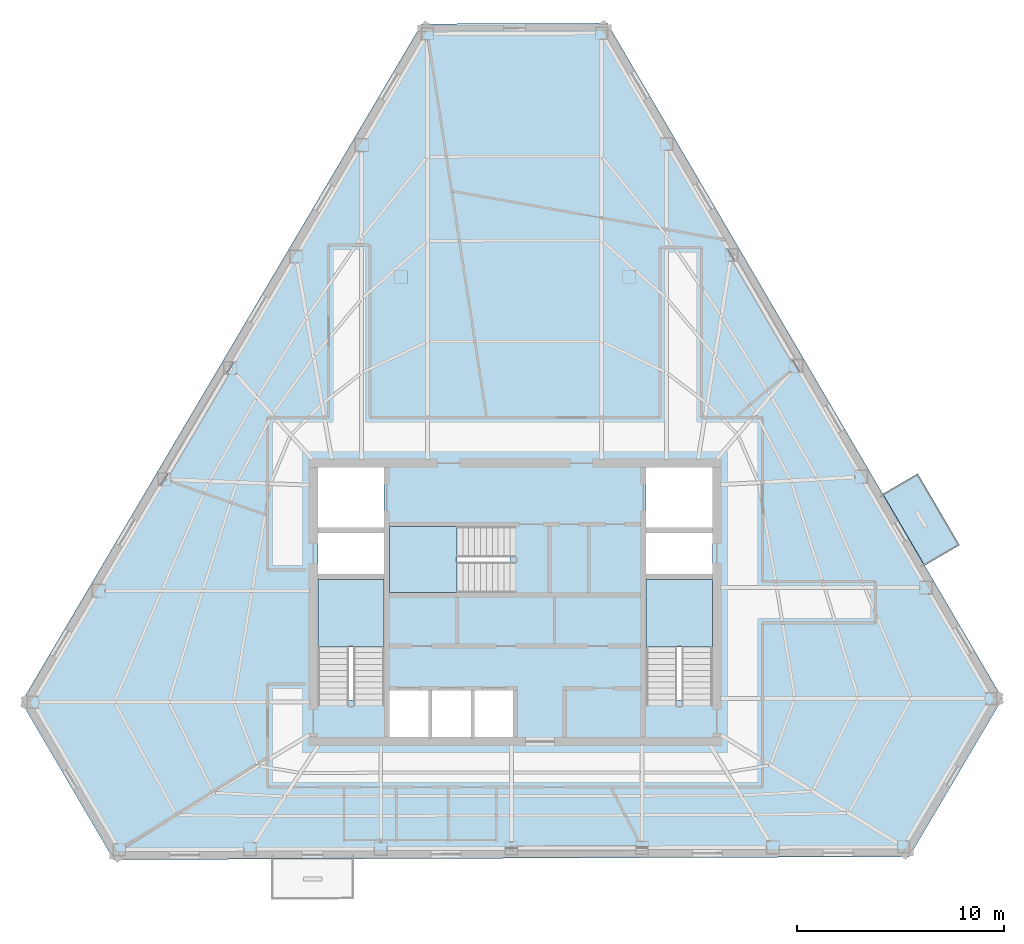
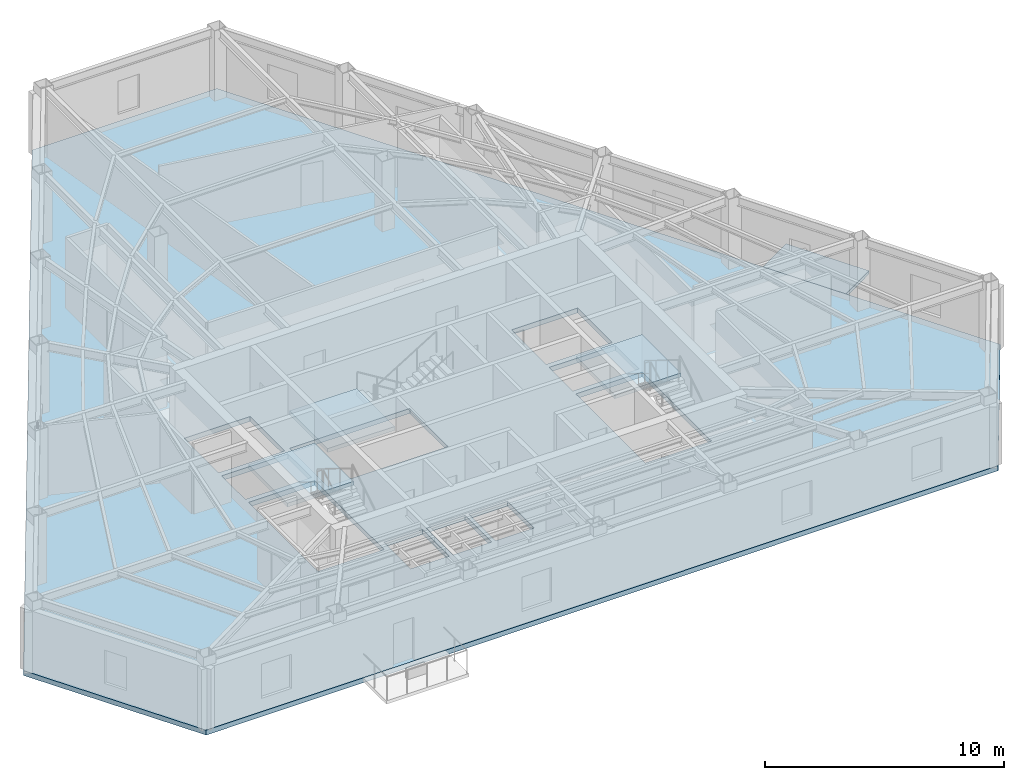
# One storey, part 3 of 9: 5 slabs, 3 elements without a shape of their own.
"""IFC4 building model written with IfcOpenShell, lengths in metres."""

from ifc_helpers import new_model, si_unit, direction, frame, origin, place, context, subcontext, project, spatial, polyline, outline, extrude, material, layer, layer_set, type_object, element, aggregate, save


model = new_model("IFC4")

# Units and contexts
model_context = context("Model", 3, precision=1e-05, world=origin(), true_north=direction((0.0, 1.0)))
body_context = subcontext(model_context, "Body", "Model", "MODEL_VIEW")
ifc_project = project(units=[si_unit("LENGTHUNIT", "METRE"), si_unit("AREAUNIT", "SQUARE_METRE"), si_unit("VOLUMEUNIT", "CUBIC_METRE"), si_unit("PLANEANGLEUNIT", "RADIAN"), si_unit("MASSUNIT", "GRAM", prefix="KILO")], contexts=[model_context])

# Site, building, storey
site_placement = place(None, origin())
site = spatial("IfcSite", under=ifc_project, at=site_placement, CompositionType="ELEMENT")
building_placement = place(site_placement, origin())
building = spatial("IfcBuilding", under=site, at=building_placement, Name="Kavelnor Concourse Tower", CompositionType="ELEMENT")
storey_placement = place(building_placement, frame((0.0, 0.0, 207.35009765625)))
storey = spatial("IfcBuildingStorey", under=building, at=storey_placement, Name="L52", CompositionType="ELEMENT", Elevation=207.35009765625)

# Slab
ifc_material = material(Name="Concrete C40/50", Category="concrete")
ifc_layer_1 = layer(ifc_material, 0.169921875, Name="Concrete C40/50")
ifc_layer_set_1 = layer_set([ifc_layer_1], Name="Concrete C40/50")
slab_type_1 = type_object("IfcSlabType", Name="SLB-BALCONY-170", PredefinedType="FLOOR", material=ifc_layer_set_1)
slab_1_placement = place(storey_placement, frame((0.0, 0.0, -0.170166015625)))
element("IfcSlab", 1, at=slab_1_placement, inside=storey, type_object=slab_type_1, Name="L52 Cantilevered Tree Balcony Slab 2", PredefinedType="FLOOR", context=body_context, shape_type="SweptSolid", body=[
    extrude(outline(polyline([(57.4287109375, 22.3115234375), (59.448974609375, 18.859130859375), (57.76611328125, 17.874267578125), (55.74560546875, 21.32666015625), (57.4287109375, 22.3115234375)])), origin(), (0.0, 0.0, 1.0), 0.170166015625),
])

# Stair, slab
stair_type = type_object("IfcStairType", Name="STR-CORE-1500", PredefinedType="HALF_TURN_STAIR", material=ifc_material)
stair_1_placement = place(storey_placement, origin())
stair_1 = element("IfcStair", 2, at=stair_1_placement, inside=storey, type_object=stair_type, Name="L52 ST1", PredefinedType="HALF_TURN_STAIR")
ifc_layer_2 = layer(ifc_material, 0.199951171875, Name="Concrete C40/50")
ifc_layer_set_2 = layer_set([ifc_layer_2], Name="Concrete C40/50")
slab_type_2 = type_object("IfcSlabType", Name="SLB-LANDING-200", PredefinedType="LANDING", material=ifc_layer_set_2)
slab_2_placement = place(storey_placement, frame((0.0, 0.0, 1.724853515625)))
slab_2 = element("IfcSlab", 3, at=slab_2_placement, type_object=slab_type_2, Name="ST1 landing 1", PredefinedType="LANDING", context=body_context, shape_type="SweptSolid", body=[
    extrude(outline(polyline([(31.679931640625, 13.949951171875), (31.679931640625, 17.199951171875), (28.47998046875, 17.199951171875), (28.47998046875, 13.949951171875), (31.679931640625, 13.949951171875)])), origin(), (0.0, 0.0, 1.0), 0.199951171875),
])
aggregate(stair_1, [slab_2])

stair_2_placement = place(storey_placement, origin())
stair_2 = element("IfcStair", 4, at=stair_2_placement, inside=storey, type_object=stair_type, Name="L52 ST2", PredefinedType="HALF_TURN_STAIR")
slab_3_placement = place(storey_placement, frame((0.0, 0.0, 1.724853515625)))
slab_3 = element("IfcSlab", 5, at=slab_3_placement, type_object=slab_type_2, Name="ST2 landing 1", PredefinedType="LANDING", context=body_context, shape_type="SweptSolid", body=[
    extrude(outline(polyline([(47.52001953125, 13.949951171875), (47.52001953125, 17.199951171875), (44.320068359375, 17.199951171875), (44.320068359375, 13.949951171875), (47.52001953125, 13.949951171875)])), origin(), (0.0, 0.0, 1.0), 0.199951171875),
])
aggregate(stair_2, [slab_3])

stair_3_placement = place(storey_placement, origin())
stair_3 = element("IfcStair", 6, at=stair_3_placement, inside=storey, type_object=stair_type, Name="L52 ST3", PredefinedType="HALF_TURN_STAIR")
slab_4_placement = place(storey_placement, frame((0.0, 0.0, 1.724853515625)))
slab_4 = element("IfcSlab", 7, at=slab_4_placement, type_object=slab_type_2, Name="ST3 landing 1", PredefinedType="LANDING", context=body_context, shape_type="SweptSolid", body=[
    extrude(outline(polyline([(35.18994140625, 19.760009765625), (31.93994140625, 19.760009765625), (31.93994140625, 16.56005859375), (35.18994140625, 16.56005859375), (35.18994140625, 19.760009765625)])), origin(), (0.0, 0.0, 1.0), 0.199951171875),
])
aggregate(stair_3, [slab_4])

# Slab
ifc_layer_3 = layer(ifc_material, 0.25, Name="Concrete C40/50")
ifc_layer_set_3 = layer_set([ifc_layer_3], Name="Concrete C40/50")
slab_type_3 = type_object("IfcSlabType", Name="SLB-OFFICE-250", PredefinedType="FLOOR", material=ifc_layer_set_3)
slab_5_placement = place(storey_placement, frame((0.0, 0.0, -0.25)))
element("IfcSlab", 8, at=slab_5_placement, inside=storey, type_object=slab_type_3, Name="L52 Composite Structural Floor Slab", PredefinedType="FLOOR", context=body_context, shape_type="SweptSolid", body=[
    extrude(outline(polyline([(42.44921875, 44.046875), (33.494384765625, 44.014404296875), (14.1767578125, 11.279296875), (18.625732421875, 3.677001953125), (57.019287109375, 3.816650390625), (61.524658203125, 11.45166015625), (42.44921875, 44.046875)]), holes=[polyline([(28.47998046875, 11.3798828125), (31.679931640625, 11.3798828125), (31.679931640625, 17.199951171875), (28.47998046875, 17.199951171875), (28.47998046875, 11.3798828125)]), polyline([(44.320068359375, 11.3798828125), (47.52001953125, 11.3798828125), (47.52001953125, 17.199951171875), (44.320068359375, 17.199951171875), (44.320068359375, 11.3798828125)]), polyline([(31.93994140625, 16.56005859375), (37.760009765625, 16.56005859375), (37.760009765625, 19.760009765625), (31.93994140625, 19.760009765625), (31.93994140625, 16.56005859375)]), polyline([(28.47998046875, 19.699951171875), (31.679931640625, 19.699951171875), (31.679931640625, 22.60009765625), (28.47998046875, 22.60009765625), (28.47998046875, 19.699951171875)]), polyline([(44.320068359375, 19.699951171875), (47.52001953125, 19.699951171875), (47.52001953125, 22.60009765625), (44.320068359375, 22.60009765625), (44.320068359375, 19.699951171875)]), polyline([(31.93994140625, 9.60009765625), (33.81005859375, 9.60009765625), (33.81005859375, 11.840087890625), (31.93994140625, 11.840087890625), (31.93994140625, 9.60009765625)]), polyline([(33.989990234375, 9.60009765625), (35.860107421875, 9.60009765625), (35.860107421875, 11.840087890625), (33.989990234375, 11.840087890625), (33.989990234375, 9.60009765625)]), polyline([(36.0400390625, 9.60009765625), (37.909912109375, 9.60009765625), (37.909912109375, 11.840087890625), (36.0400390625, 11.840087890625), (36.0400390625, 9.60009765625)]), polyline([(28.47998046875, 17.4599609375), (31.679931640625, 17.4599609375), (31.679931640625, 19.43994140625), (28.47998046875, 19.43994140625), (28.47998046875, 17.4599609375)]), polyline([(44.320068359375, 17.4599609375), (47.52001953125, 17.4599609375), (47.52001953125, 19.43994140625), (44.320068359375, 19.43994140625), (44.320068359375, 17.4599609375)])]), origin(), (0.0, 0.0, 1.0), 0.25),
])

save(model, "model.ifc")
